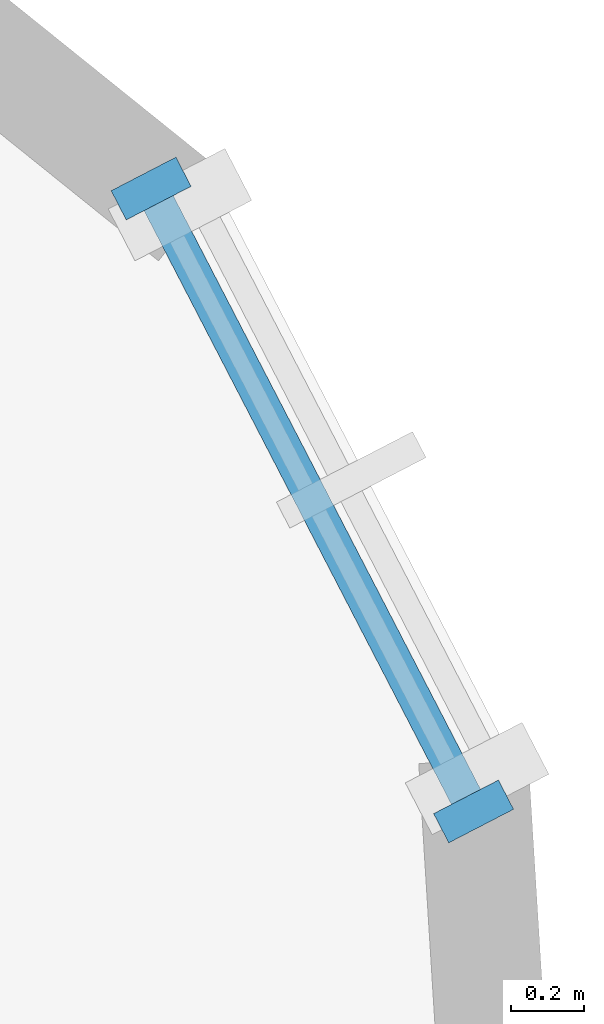
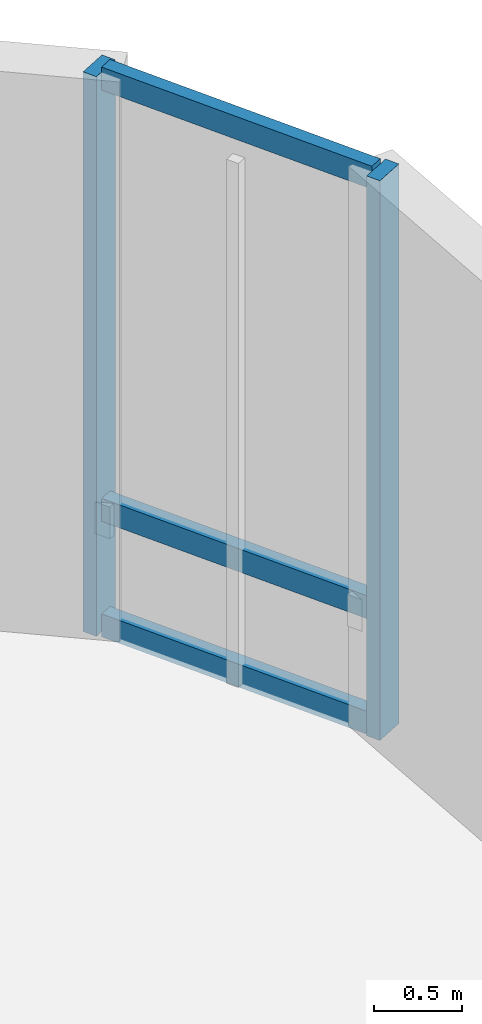
# One storey, part 6 of 15: 5 members, 1 element without a shape of its own.
"""IFC4 building model written with IfcOpenShell, lengths in metres."""

import ifcopenshell
import ifcopenshell.guid

model = None  # the IFC model being written
_history = None  # IfcOwnerHistory: only IFC2X3 demands one
_inside = {}  # id of a spatial element -> (the spatial element, [elements in it])
_under = {}  # id of a project, library or spatial element -> (it, [spatial elements below it])
_declared = {}  # id of a project -> (the project, [libraries it declares])
_typed = {}  # id of a type object -> (the type object, [elements of that type])
_made_of = {}  # id of a material, layer set ... -> (it, [elements and type objects made of it])


def new_model(schema):
    """Start an empty IFC model of exactly this schema.

    Asked for "IFC4X3", IfcOpenShell would pick the latest addendum, in which some entities
    have other attributes; the version numbers below select the first issue.
    IFC2X3 requires an IfcOwnerHistory on every rooted entity: one is made here for all.
    """
    global model, _history
    if schema == "IFC4X3":
        model = ifcopenshell.file(schema_version=(4, 3, 0, 0))
    else:
        model = ifcopenshell.file(schema=schema)
    _inside.clear()
    _under.clear()
    _declared.clear()
    _typed.clear()
    _made_of.clear()
    _history = None
    if model.schema == "IFC2X3":
        org = make("IfcOrganization", Name="unknown")
        user = make(
            "IfcPersonAndOrganization",
            ThePerson=make("IfcPerson", FamilyName="unknown"),
            TheOrganization=org,
        )
        app = make(
            "IfcApplication",
            ApplicationDeveloper=org,
            Version="unknown",
            ApplicationFullName="unknown",
            ApplicationIdentifier="unknown",
        )
        _history = make(
            "IfcOwnerHistory",
            OwningUser=user,
            OwningApplication=app,
            ChangeAction="ADDED",
            CreationDate=0,
        )
    return model


def make(cls, **values):
    """One entity of the class cls with the attributes given. An attribute that is None is left unset."""
    return model.create_entity(
        cls, **{name: value for name, value in values.items() if value is not None}
    )


def rooted(cls, **values):
    """An entity with a GlobalId (a new one), such as an element, a storey or a relation."""
    return make(cls, GlobalId=ifcopenshell.guid.new(), OwnerHistory=_history, **values)


def si_unit(unit_type, name, prefix=None):
    """IfcSIUnit, for example si_unit("LENGTHUNIT", "METRE", prefix="MILLI")."""
    return make("IfcSIUnit", UnitType=unit_type, Prefix=prefix, Name=name)


def assignment(units):
    """IfcUnitAssignment: the units of a project."""
    return None if units is None else make("IfcUnitAssignment", Units=units)


def point(xyz):
    """IfcCartesianPoint."""
    return None if xyz is None else make("IfcCartesianPoint", Coordinates=xyz)


def direction(xyz):
    """IfcDirection."""
    return None if xyz is None else make("IfcDirection", DirectionRatios=xyz)


def frame(location, z_axis=None, x_axis=None):
    """IfcAxis2Placement3D, a coordinate frame: its origin and axes. An axis left out is left unset."""
    return make(
        "IfcAxis2Placement3D",
        Location=point(location),
        Axis=direction(z_axis),
        RefDirection=direction(x_axis),
    )


def frame_2d(location, x_axis=None):
    """IfcAxis2Placement2D, a coordinate frame in the plane: its origin and x axis."""
    return make(
        "IfcAxis2Placement2D", Location=point(location), RefDirection=direction(x_axis)
    )


def origin():
    """The frame at (0, 0, 0) with its axes left unset."""
    return frame((0.0, 0.0, 0.0))


def origin_2d():
    """The frame at (0, 0) in the plane with its x axis left unset."""
    return frame_2d((0.0, 0.0))


def place(relative_to, where):
    """IfcLocalPlacement: puts the frame where relative to a parent placement (None: the world)."""
    return make(
        "IfcLocalPlacement", PlacementRelTo=relative_to, RelativePlacement=where
    )


def context(
    kind, dimensions, precision=None, world=None, true_north=None, identifier=None
):
    """IfcGeometricRepresentationContext, for example the 3D "Model" context."""
    return make(
        "IfcGeometricRepresentationContext",
        ContextIdentifier=identifier,
        ContextType=kind,
        CoordinateSpaceDimension=dimensions,
        Precision=precision,
        WorldCoordinateSystem=world,
        TrueNorth=true_north,
    )


def subcontext(parent, identifier, kind, view, scale=None):
    """IfcGeometricRepresentationSubContext, for example "Body" below "Model"."""
    return make(
        "IfcGeometricRepresentationSubContext",
        ContextIdentifier=identifier,
        ContextType=kind,
        ParentContext=parent,
        TargetScale=scale,
        TargetView=view,
    )


def project(units=None, contexts=None):
    """IfcProject with its units and contexts."""
    return rooted(
        "IfcProject",
        Name="project",
        RepresentationContexts=contexts,
        UnitsInContext=assignment(units),
    )


def spatial(cls, under=None, at=None, **own):
    """A site, building, storey or space (cls), placed at a placement, below another one or the project."""
    s = rooted(cls, ObjectPlacement=at, **own)
    if under is not None:
        _under.setdefault(under.id(), (under, []))[1].append(s)
    return s


def profile(cls, at=None, kind="AREA", **sizes):
    """A parametric profile (cls). Its sizes go by their IFC names, for example OverallWidth=200.0."""
    return make(cls, ProfileType=kind, Position=at, **sizes)


def rectangle(**sizes):
    """IfcRectangleProfileDef."""
    return profile("IfcRectangleProfileDef", **sizes)


def extrude(swept, where, along, depth):
    """IfcExtrudedAreaSolid: the profile swept, set in the frame where, extruded along a direction by depth."""
    return make(
        "IfcExtrudedAreaSolid",
        SweptArea=swept,
        Position=where,
        ExtrudedDirection=direction(along),
        Depth=depth,
    )


def shape(context_of_items, identifier, shape_type, items):
    """IfcShapeRepresentation: the items that make up one representation, for example the "Body"."""
    return make(
        "IfcShapeRepresentation",
        ContextOfItems=context_of_items,
        RepresentationIdentifier=identifier,
        RepresentationType=shape_type,
        Items=items,
    )


def material(Name=None, Category=None):
    """IfcMaterial."""
    return make("IfcMaterial", Name=Name, Category=Category)


def layer(
    of_material, thickness, ventilated=None, Name=None, Category=None, Priority=None
):
    """IfcMaterialLayer: one layer of a wall or slab, of a material (None: an air gap)."""
    return make(
        "IfcMaterialLayer",
        Material=of_material,
        LayerThickness=thickness,
        IsVentilated=ventilated,
        Name=Name,
        Category=Category,
        Priority=Priority,
    )


def layer_set(layers, Name=None):
    """IfcMaterialLayerSet."""
    return make("IfcMaterialLayerSet", MaterialLayers=layers, LayerSetName=Name)


def material_profile(
    of_material, cross_section, Name=None, Category=None, Priority=None
):
    """IfcMaterialProfile: a cross section and its material."""
    return make(
        "IfcMaterialProfile",
        Name=Name,
        Material=of_material,
        Profile=cross_section,
        Priority=Priority,
        Category=Category,
    )


def profile_set(profiles, Name=None, composite=None):
    """IfcMaterialProfileSet."""
    return make(
        "IfcMaterialProfileSet",
        Name=Name,
        MaterialProfiles=profiles,
        CompositeProfile=composite,
    )


def made_of(thing, what):
    """Note that an element or type object is made of a material, layer set ...; save() writes the relation."""
    if what is not None:
        _made_of.setdefault(what.id(), (what, []))[1].append(thing)
    return thing


def type_object(cls, material=None, **own):
    """A type object (cls), such as IfcWallType, which elements share."""
    return made_of(rooted(cls, **own), material)


def element(
    cls,
    number,
    at=None,
    inside=None,
    cuts=None,
    type_object=None,
    material=None,
    context=None,
    identifier="Body",
    shape_type=None,
    held_by="IfcProductDefinitionShape",
    body=None,
    shapes=None,
    **own,
):
    """One element of the class cls, such as IfcWall. Its Tag is "e" and its number.

    at: its placement. inside: the storey or other place that contains it. cuts: it is an
    opening in that element (IfcRelVoidsElement). A single representation is given by context,
    identifier, shape_type and body (its items); several are given by shapes. held_by: the class
    of the entity that holds the representations. save() writes the other relations.
    """
    e = rooted(cls, Tag="e%d" % number, ObjectPlacement=at, **own)
    if body is not None:
        shapes = [shape(context, identifier, shape_type, body)]
    if shapes is not None:
        e.Representation = make(held_by, Representations=shapes)
    if inside is not None:
        _inside.setdefault(inside.id(), (inside, []))[1].append(e)
    if cuts is not None:
        rooted(
            "IfcRelVoidsElement", RelatingBuildingElement=cuts, RelatedOpeningElement=e
        )
    if type_object is not None:
        _typed.setdefault(type_object.id(), (type_object, []))[1].append(e)
    return made_of(e, material)


def aggregate(whole, parts):
    """IfcRelAggregates: a whole, such as a stair, and the parts it consists of."""
    return rooted("IfcRelAggregates", RelatingObject=whole, RelatedObjects=parts)


def save(model, path):
    """Write the relations noted so far, then the file.

    IfcRelAggregates (storeys below a building ...), IfcRelContainedInSpatialStructure (elements
    in a storey), IfcRelDefinesByType, IfcRelAssociatesMaterial and IfcRelDeclares: one each for
    every whole, place, type object, material and project.
    """
    for whole, parts in _under.values():
        aggregate(whole, parts)
    for where, things in _inside.values():
        rooted(
            "IfcRelContainedInSpatialStructure",
            RelatedElements=things,
            RelatingStructure=where,
        )
    for kind, things in _typed.values():
        rooted("IfcRelDefinesByType", RelatedObjects=things, RelatingType=kind)
    for what, things in _made_of.values():
        rooted("IfcRelAssociatesMaterial", RelatedObjects=things, RelatingMaterial=what)
    for by, libraries in _declared.values():
        rooted("IfcRelDeclares", RelatingContext=by, RelatedDefinitions=libraries)
    model.write(path)


model = new_model("IFC4")

# Units and contexts
model_context = context("Model", 3, precision=1e-05, world=origin(), true_north=direction((0.0, 1.0)))
body_context = subcontext(model_context, "Body", "Model", "MODEL_VIEW")
ifc_project = project(units=[si_unit("LENGTHUNIT", "METRE"), si_unit("AREAUNIT", "SQUARE_METRE"), si_unit("VOLUMEUNIT", "CUBIC_METRE"), si_unit("PLANEANGLEUNIT", "RADIAN"), si_unit("MASSUNIT", "GRAM", prefix="KILO")], contexts=[model_context])

# Site, building, storey
site_placement = place(None, origin())
site = spatial("IfcSite", under=ifc_project, at=site_placement, CompositionType="ELEMENT")
building_placement = place(site_placement, origin())
building = spatial("IfcBuilding", under=site, at=building_placement, Name="Korentha Bioscience Tower", CompositionType="ELEMENT")
storey_placement = place(building_placement, frame((0.0, 0.0, 235.199951171875)))
storey = spatial("IfcBuildingStorey", under=building, at=storey_placement, Name="L54", CompositionType="ELEMENT", Elevation=235.199951171875)

# Curtain wall, members
ifc_material_1 = material(Name="Thermally Broken Aluminium Frame", Category="aluminium")
ifc_layer = layer(ifc_material_1, 0.219970703125, Name="Thermally Broken Aluminium Frame")
ifc_layer_set = layer_set([ifc_layer], Name="Thermally Broken Aluminium Frame (CW-T2)")
curtain_wall_type = type_object("IfcCurtainWallType", Name="Solar-Screened Lab Unitised Curtain Wall CW-T2", PredefinedType="USERDEFINED", material=ifc_layer_set)
curtain_wall_placement = place(storey_placement, origin())
curtain_wall = element("IfcCurtainWall", 1, at=curtain_wall_placement, inside=storey, type_object=curtain_wall_type, Name="L54 Curtain Wall 61", ObjectType="UNITISED", PredefinedType="USERDEFINED")
ifc_material_2 = material(Name="Anodised Aluminium 6063-T6", Category="aluminium")
ifc_material_profile_1 = material_profile(ifc_material_2, rectangle(XDim=0.090087890625, YDim=0.199951171875, at=origin_2d()), Name="Anodised Aluminium 6063-T6")
ifc_profile_set_1 = profile_set([ifc_material_profile_1], Name="Anodised Aluminium 6063-T6 (CW-MUL)")
member_type_1 = type_object("IfcMemberType", Name="Mullion RECT 90x200", PredefinedType="MULLION", material=ifc_profile_set_1)
member_1_placement = place(storey_placement, frame((53.356689453125, 42.9443359375, 0.0), z_axis=(0.0, 0.0, 1.0), x_axis=(-0.459738031963, 0.888054582763, 0.0)))
member_1 = element("IfcMember", 2, at=member_1_placement, type_object=member_type_1, Name="CW-L54-61 Mullion 1", PredefinedType="MULLION", context=body_context, shape_type="SweptSolid", body=[
    extrude(rectangle(XDim=0.090087890625, YDim=0.199951171875, at=origin_2d()), origin(), (0.0, 0.0, 1.0), 3.900146484375),
])
member_2_placement = place(storey_placement, frame((52.473388671875, 44.650390625, 0.0), z_axis=(0.0, 0.0, 1.0), x_axis=(-0.459738031963, 0.888054582763, 0.0)))
member_2 = element("IfcMember", 3, at=member_2_placement, type_object=member_type_1, Name="CW-L54-61 Mullion 2", PredefinedType="MULLION", context=body_context, shape_type="SweptSolid", body=[
    extrude(rectangle(XDim=0.090087890625, YDim=0.199951171875, at=origin_2d()), origin(), (0.0, 0.0, 1.0), 3.900146484375),
])
ifc_material_profile_2 = material_profile(ifc_material_2, rectangle(XDim=0.090087890625, YDim=0.159912109375, at=origin_2d()), Name="Anodised Aluminium 6063-T6")
ifc_profile_set_2 = profile_set([ifc_material_profile_2], Name="Anodised Aluminium 6063-T6 (CW-TRN)")
member_type_2 = type_object("IfcMemberType", Name="Transom RECT 90x160", PredefinedType="USERDEFINED", material=ifc_profile_set_2)
member_3_placement = place(storey_placement, frame((53.3359375, 42.984130859375, 0.045166015625), z_axis=(-0.459752886798, 0.888046892389, 0.0), x_axis=(-0.888046892389, -0.459752886798, 0.0)))
member_3 = element("IfcMember", 4, at=member_3_placement, type_object=member_type_2, Name="CW-L54-61 Bay 1 Transom 1", ObjectType="TRANSOM", PredefinedType="USERDEFINED", context=body_context, shape_type="SweptSolid", body=[
    extrude(rectangle(XDim=0.090087890625, YDim=0.159912109375, at=origin_2d()), origin(), (0.0, 0.0, 1.0), 1.83154296875),
])
member_4_placement = place(storey_placement, frame((53.3359375, 42.984130859375, 0.85009765625), z_axis=(-0.459752886798, 0.888046892389, 0.0), x_axis=(-0.888046892389, -0.459752886798, 0.0)))
member_4 = element("IfcMember", 5, at=member_4_placement, type_object=member_type_2, Name="CW-L54-61 Bay 1 Transom 2", ObjectType="TRANSOM", PredefinedType="USERDEFINED", context=body_context, shape_type="SweptSolid", body=[
    extrude(rectangle(XDim=0.090087890625, YDim=0.159912109375, at=origin_2d()), origin(), (0.0, 0.0, 1.0), 1.83154296875),
])
member_5_placement = place(storey_placement, frame((53.3359375, 42.984130859375, 3.85498046875), z_axis=(-0.459752886798, 0.888046892389, 0.0), x_axis=(-0.888046892389, -0.459752886798, 0.0)))
member_5 = element("IfcMember", 6, at=member_5_placement, type_object=member_type_2, Name="CW-L54-61 Bay 1 Transom 3", ObjectType="TRANSOM", PredefinedType="USERDEFINED", context=body_context, shape_type="SweptSolid", body=[
    extrude(rectangle(XDim=0.090087890625, YDim=0.159912109375, at=origin_2d()), origin(), (0.0, 0.0, 1.0), 1.83154296875),
])
aggregate(curtain_wall, [member_1, member_2, member_3, member_4, member_5])

save(model, "model.ifc")
